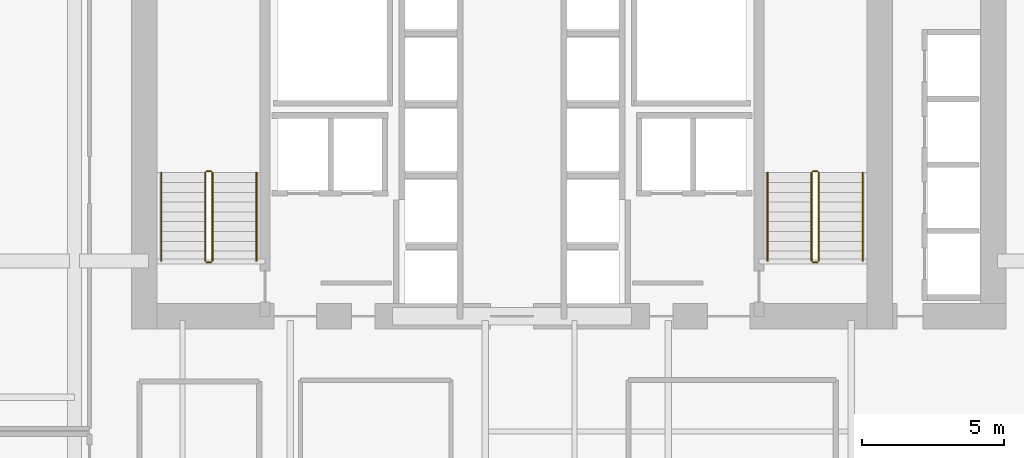
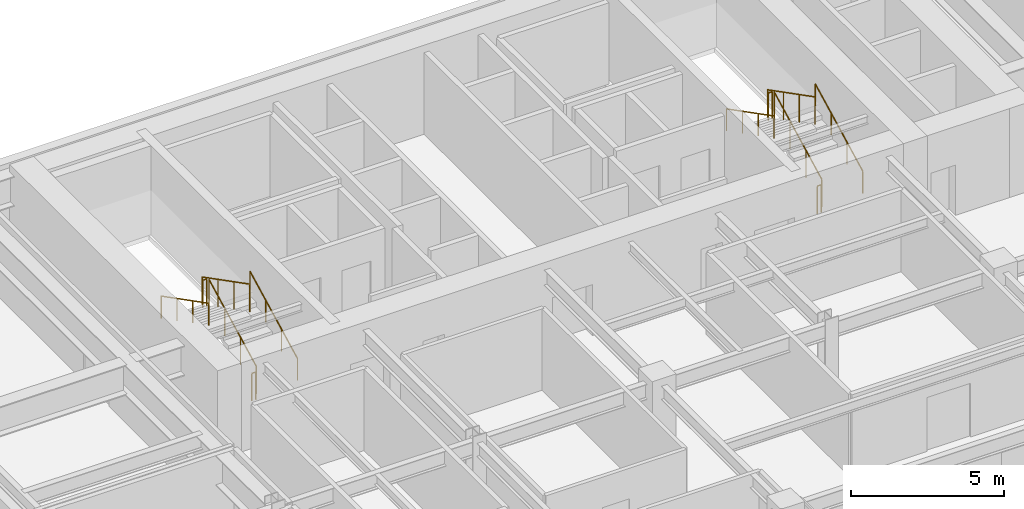
# One storey, part 16 of 16: 12 railings.
"""IFC4 building model written with IfcOpenShell, lengths in metres."""

from ifc_helpers import new_model, si_unit, direction, frame, origin, origin_2d, place, context, subcontext, project, spatial, circle, extrude, material, type_object, element, save


model = new_model("IFC4")

# Units and contexts
model_context = context("Model", 3, precision=1e-05, world=origin(), true_north=direction((0.0, 1.0)))
body_context = subcontext(model_context, "Body", "Model", "MODEL_VIEW")
ifc_project = project(units=[si_unit("LENGTHUNIT", "METRE"), si_unit("AREAUNIT", "SQUARE_METRE"), si_unit("VOLUMEUNIT", "CUBIC_METRE"), si_unit("PLANEANGLEUNIT", "RADIAN"), si_unit("MASSUNIT", "GRAM", prefix="KILO")], contexts=[model_context])

# Site, building, storey
site_placement = place(None, origin())
site = spatial("IfcSite", under=ifc_project, at=site_placement, CompositionType="ELEMENT")
building_placement = place(site_placement, origin())
building = spatial("IfcBuilding", under=site, at=building_placement, Name="Tolvann Quenvar Hotel", CompositionType="ELEMENT")
storey_placement = place(building_placement, frame((0.0, 0.0, 92.35009765625)))
storey = spatial("IfcBuildingStorey", under=building, at=storey_placement, Name="L23", CompositionType="ELEMENT", Elevation=92.35009765625)

# Railings
ifc_material = material(Name="Brushed 316 stainless steel balustrade and handrail", Category="steel")
railing_type_1 = type_object("IfcRailingType", Name="GUARDRAIL", PredefinedType="GUARDRAIL", material=ifc_material)
railing_1_placement = place(storey_placement, frame((12.449951171875, 34.0, 0.177490234375)))
element("IfcRailing", 1, at=railing_1_placement, inside=storey, type_object=railing_type_1, Name="L23 ST-C1 stair guard 1", PredefinedType="GUARDRAIL", context=body_context, shape_type="SweptSolid", body=[
    extrude(circle(Radius=0.02392578125, at=origin_2d()), frame((0.0, 0.0, 1.09619140625), z_axis=(0.0, 0.889221982265, 0.45747597342), x_axis=(-1.0, 0.0, 0.0)), (0.0, 0.0, 1.0), 3.49169921875),
    extrude(circle(Radius=0.02099609375, at=origin_2d()), origin(), (0.0, 0.0, 1.0), 1.072021484375),
    extrude(circle(Radius=0.02099609375, at=origin_2d()), frame((0.0, 1.034912109375, 0.532470703125)), (0.0, 0.0, 1.0), 1.072021484375),
    extrude(circle(Radius=0.02099609375, at=origin_2d()), frame((0.0, 2.070068359375, 1.06494140625)), (0.0, 0.0, 1.0), 1.072021484375),
    extrude(circle(Radius=0.02099609375, at=origin_2d()), frame((0.0, 3.10498046875, 1.597412109375)), (0.0, 0.0, 1.0), 1.072021484375),
])
railing_2_placement = place(storey_placement, frame((12.39990234375, 37.155029296875, 1.77490234375)))
element("IfcRailing", 2, at=railing_2_placement, inside=storey, type_object=railing_type_1, Name="L23 ST-C1 stair guard 2", PredefinedType="GUARDRAIL", context=body_context, shape_type="SweptSolid", body=[
    extrude(circle(Radius=0.02392578125, at=origin_2d()), frame((0.0, 0.0, 1.09619140625), z_axis=(-1.0, 0.0, 0.0), x_axis=(0.0, -1.0, 0.0)), (0.0, 0.0, 1.0), 0.14990234375),
    extrude(circle(Radius=0.02099609375, at=origin_2d()), origin(), (0.0, 0.0, 1.0), 1.072021484375),
    extrude(circle(Radius=0.02099609375, at=origin_2d()), frame((-0.14990234375, 0.0, 0.0)), (0.0, 0.0, 1.0), 1.072021484375),
])
railing_3_placement = place(storey_placement, frame((12.199951171875, 37.10498046875, 1.952392578125)))
element("IfcRailing", 3, at=railing_3_placement, inside=storey, type_object=railing_type_1, Name="L23 ST-C1 stair guard 3", PredefinedType="GUARDRAIL", context=body_context, shape_type="SweptSolid", body=[
    extrude(circle(Radius=0.02392578125, at=origin_2d()), frame((0.0, 0.0, 1.09619140625), z_axis=(0.0, -0.889221982265, 0.45747597342), x_axis=(1.0, 0.0, 0.0)), (0.0, 0.0, 1.0), 3.49169921875),
    extrude(circle(Radius=0.02099609375, at=origin_2d()), origin(), (0.0, 0.0, 1.0), 1.072021484375),
    extrude(circle(Radius=0.02099609375, at=origin_2d()), frame((0.0, -1.034912109375, 0.532470703125)), (0.0, 0.0, 1.0), 1.072021484375),
    extrude(circle(Radius=0.02099609375, at=origin_2d()), frame((0.0, -2.070068359375, 1.06494140625)), (0.0, 0.0, 1.0), 1.072021484375),
    extrude(circle(Radius=0.02099609375, at=origin_2d()), frame((0.0, -3.10498046875, 1.597412109375)), (0.0, 0.0, 1.0), 1.072021484375),
])
railing_4_placement = place(storey_placement, frame((12.39990234375, 33.949951171875, 0.0)))
element("IfcRailing", 4, at=railing_4_placement, inside=storey, type_object=railing_type_1, Name="L23 ST-C1 stair guard 4", PredefinedType="GUARDRAIL", context=body_context, shape_type="SweptSolid", body=[
    extrude(circle(Radius=0.02392578125, at=origin_2d()), frame((0.0, 0.0, 1.09619140625), z_axis=(-1.0, 0.0, 0.0), x_axis=(0.0, -1.0, 0.0)), (0.0, 0.0, 1.0), 0.14990234375),
    extrude(circle(Radius=0.02099609375, at=origin_2d()), origin(), (0.0, 0.0, 1.0), 1.072021484375),
    extrude(circle(Radius=0.02099609375, at=origin_2d()), frame((-0.14990234375, 0.0, 0.0)), (0.0, 0.0, 1.0), 1.072021484375),
])
railing_5_placement = place(storey_placement, frame((33.800048828125, 34.0, 0.177490234375)))
element("IfcRailing", 5, at=railing_5_placement, inside=storey, type_object=railing_type_1, Name="L23 ST-C2 stair guard 1", PredefinedType="GUARDRAIL", context=body_context, shape_type="SweptSolid", body=[
    extrude(circle(Radius=0.02392578125, at=origin_2d()), frame((0.0, 0.0, 1.09619140625), z_axis=(0.0, 0.889221982265, 0.45747597342), x_axis=(-1.0, 0.0, 0.0)), (0.0, 0.0, 1.0), 3.49169921875),
    extrude(circle(Radius=0.02099609375, at=origin_2d()), origin(), (0.0, 0.0, 1.0), 1.072021484375),
    extrude(circle(Radius=0.02099609375, at=origin_2d()), frame((0.0, 1.034912109375, 0.532470703125)), (0.0, 0.0, 1.0), 1.072021484375),
    extrude(circle(Radius=0.02099609375, at=origin_2d()), frame((0.0, 2.070068359375, 1.06494140625)), (0.0, 0.0, 1.0), 1.072021484375),
    extrude(circle(Radius=0.02099609375, at=origin_2d()), frame((0.0, 3.10498046875, 1.597412109375)), (0.0, 0.0, 1.0), 1.072021484375),
])
railing_6_placement = place(storey_placement, frame((33.75, 37.155029296875, 1.77490234375)))
element("IfcRailing", 6, at=railing_6_placement, inside=storey, type_object=railing_type_1, Name="L23 ST-C2 stair guard 2", PredefinedType="GUARDRAIL", context=body_context, shape_type="SweptSolid", body=[
    extrude(circle(Radius=0.02392578125, at=origin_2d()), frame((0.0, 0.0, 1.09619140625), z_axis=(-1.0, 0.0, 0.0), x_axis=(0.0, -1.0, 0.0)), (0.0, 0.0, 1.0), 0.14990234375),
    extrude(circle(Radius=0.02099609375, at=origin_2d()), origin(), (0.0, 0.0, 1.0), 1.072021484375),
    extrude(circle(Radius=0.02099609375, at=origin_2d()), frame((-0.14990234375, 0.0, 0.0)), (0.0, 0.0, 1.0), 1.072021484375),
])
railing_7_placement = place(storey_placement, frame((33.550048828125, 37.10498046875, 1.952392578125)))
element("IfcRailing", 7, at=railing_7_placement, inside=storey, type_object=railing_type_1, Name="L23 ST-C2 stair guard 3", PredefinedType="GUARDRAIL", context=body_context, shape_type="SweptSolid", body=[
    extrude(circle(Radius=0.02392578125, at=origin_2d()), frame((0.0, 0.0, 1.09619140625), z_axis=(0.0, -0.889221982265, 0.45747597342), x_axis=(1.0, 0.0, 0.0)), (0.0, 0.0, 1.0), 3.49169921875),
    extrude(circle(Radius=0.02099609375, at=origin_2d()), origin(), (0.0, 0.0, 1.0), 1.072021484375),
    extrude(circle(Radius=0.02099609375, at=origin_2d()), frame((0.0, -1.034912109375, 0.532470703125)), (0.0, 0.0, 1.0), 1.072021484375),
    extrude(circle(Radius=0.02099609375, at=origin_2d()), frame((0.0, -2.070068359375, 1.06494140625)), (0.0, 0.0, 1.0), 1.072021484375),
    extrude(circle(Radius=0.02099609375, at=origin_2d()), frame((0.0, -3.10498046875, 1.597412109375)), (0.0, 0.0, 1.0), 1.072021484375),
])
railing_8_placement = place(storey_placement, frame((33.75, 33.949951171875, 0.0)))
element("IfcRailing", 8, at=railing_8_placement, inside=storey, type_object=railing_type_1, Name="L23 ST-C2 stair guard 4", PredefinedType="GUARDRAIL", context=body_context, shape_type="SweptSolid", body=[
    extrude(circle(Radius=0.02392578125, at=origin_2d()), frame((0.0, 0.0, 1.09619140625), z_axis=(-1.0, 0.0, 0.0), x_axis=(0.0, -1.0, 0.0)), (0.0, 0.0, 1.0), 0.14990234375),
    extrude(circle(Radius=0.02099609375, at=origin_2d()), origin(), (0.0, 0.0, 1.0), 1.072021484375),
    extrude(circle(Radius=0.02099609375, at=origin_2d()), frame((-0.14990234375, 0.0, 0.0)), (0.0, 0.0, 1.0), 1.072021484375),
])
railing_type_2 = type_object("IfcRailingType", Name="HANDRAIL", PredefinedType="HANDRAIL", material=ifc_material)
railing_9_placement = place(storey_placement, frame((14.0, 34.0, 0.177490234375)))
element("IfcRailing", 9, at=railing_9_placement, inside=storey, type_object=railing_type_2, Name="L23 ST-C1 stair handrail 1", PredefinedType="HANDRAIL", context=body_context, shape_type="SweptSolid", body=[
    extrude(circle(Radius=0.02392578125, at=origin_2d()), frame((0.0, 0.0, 0.8759765625), z_axis=(0.0, 0.889221982265, 0.45747597342), x_axis=(-1.0, 0.0, 0.0)), (0.0, 0.0, 1.0), 3.49169921875),
    extrude(circle(Radius=0.02099609375, at=origin_2d()), origin(), (0.0, 0.0, 1.0), 0.851806640625),
    extrude(circle(Radius=0.02099609375, at=origin_2d()), frame((0.0, 1.034912109375, 0.532470703125)), (0.0, 0.0, 1.0), 0.851806640625),
    extrude(circle(Radius=0.02099609375, at=origin_2d()), frame((0.0, 2.070068359375, 1.06494140625)), (0.0, 0.0, 1.0), 0.851806640625),
    extrude(circle(Radius=0.02099609375, at=origin_2d()), frame((0.0, 3.10498046875, 1.597412109375)), (0.0, 0.0, 1.0), 0.851806640625),
])
railing_10_placement = place(storey_placement, frame((10.64990234375, 37.10498046875, 1.952392578125)))
element("IfcRailing", 10, at=railing_10_placement, inside=storey, type_object=railing_type_2, Name="L23 ST-C1 stair handrail 2", PredefinedType="HANDRAIL", context=body_context, shape_type="SweptSolid", body=[
    extrude(circle(Radius=0.02392578125, at=origin_2d()), frame((0.0, 0.0, 0.8759765625), z_axis=(0.0, -0.889221982265, 0.45747597342), x_axis=(1.0, 0.0, 0.0)), (0.0, 0.0, 1.0), 3.49169921875),
    extrude(circle(Radius=0.02099609375, at=origin_2d()), origin(), (0.0, 0.0, 1.0), 0.851806640625),
    extrude(circle(Radius=0.02099609375, at=origin_2d()), frame((0.0, -1.034912109375, 0.532470703125)), (0.0, 0.0, 1.0), 0.851806640625),
    extrude(circle(Radius=0.02099609375, at=origin_2d()), frame((0.0, -2.070068359375, 1.06494140625)), (0.0, 0.0, 1.0), 0.851806640625),
    extrude(circle(Radius=0.02099609375, at=origin_2d()), frame((0.0, -3.10498046875, 1.597412109375)), (0.0, 0.0, 1.0), 0.851806640625),
])
railing_11_placement = place(storey_placement, frame((35.35009765625, 34.0, 0.177490234375)))
element("IfcRailing", 11, at=railing_11_placement, inside=storey, type_object=railing_type_2, Name="L23 ST-C2 stair handrail 1", PredefinedType="HANDRAIL", context=body_context, shape_type="SweptSolid", body=[
    extrude(circle(Radius=0.02392578125, at=origin_2d()), frame((0.0, 0.0, 0.8759765625), z_axis=(0.0, 0.889221982265, 0.45747597342), x_axis=(-1.0, 0.0, 0.0)), (0.0, 0.0, 1.0), 3.49169921875),
    extrude(circle(Radius=0.02099609375, at=origin_2d()), origin(), (0.0, 0.0, 1.0), 0.851806640625),
    extrude(circle(Radius=0.02099609375, at=origin_2d()), frame((0.0, 1.034912109375, 0.532470703125)), (0.0, 0.0, 1.0), 0.851806640625),
    extrude(circle(Radius=0.02099609375, at=origin_2d()), frame((0.0, 2.070068359375, 1.06494140625)), (0.0, 0.0, 1.0), 0.851806640625),
    extrude(circle(Radius=0.02099609375, at=origin_2d()), frame((0.0, 3.10498046875, 1.597412109375)), (0.0, 0.0, 1.0), 0.851806640625),
])
railing_12_placement = place(storey_placement, frame((32.0, 37.10498046875, 1.952392578125)))
element("IfcRailing", 12, at=railing_12_placement, inside=storey, type_object=railing_type_2, Name="L23 ST-C2 stair handrail 2", PredefinedType="HANDRAIL", context=body_context, shape_type="SweptSolid", body=[
    extrude(circle(Radius=0.02392578125, at=origin_2d()), frame((0.0, 0.0, 0.8759765625), z_axis=(0.0, -0.889221982265, 0.45747597342), x_axis=(1.0, 0.0, 0.0)), (0.0, 0.0, 1.0), 3.49169921875),
    extrude(circle(Radius=0.02099609375, at=origin_2d()), origin(), (0.0, 0.0, 1.0), 0.851806640625),
    extrude(circle(Radius=0.02099609375, at=origin_2d()), frame((0.0, -1.034912109375, 0.532470703125)), (0.0, 0.0, 1.0), 0.851806640625),
    extrude(circle(Radius=0.02099609375, at=origin_2d()), frame((0.0, -2.070068359375, 1.06494140625)), (0.0, 0.0, 1.0), 0.851806640625),
    extrude(circle(Radius=0.02099609375, at=origin_2d()), frame((0.0, -3.10498046875, 1.597412109375)), (0.0, 0.0, 1.0), 0.851806640625),
])

save(model, "model.ifc")
